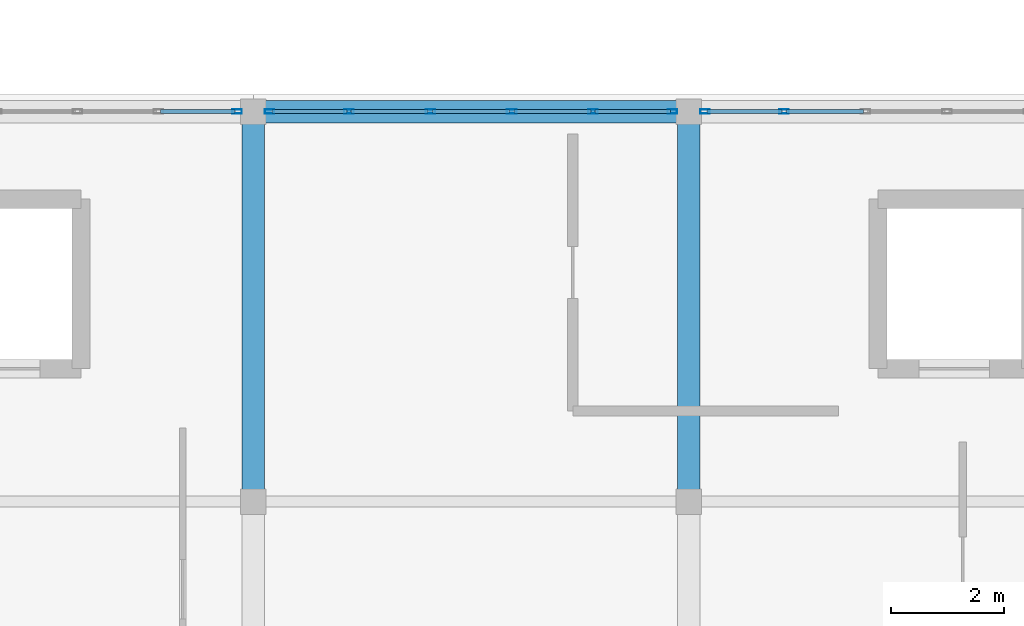
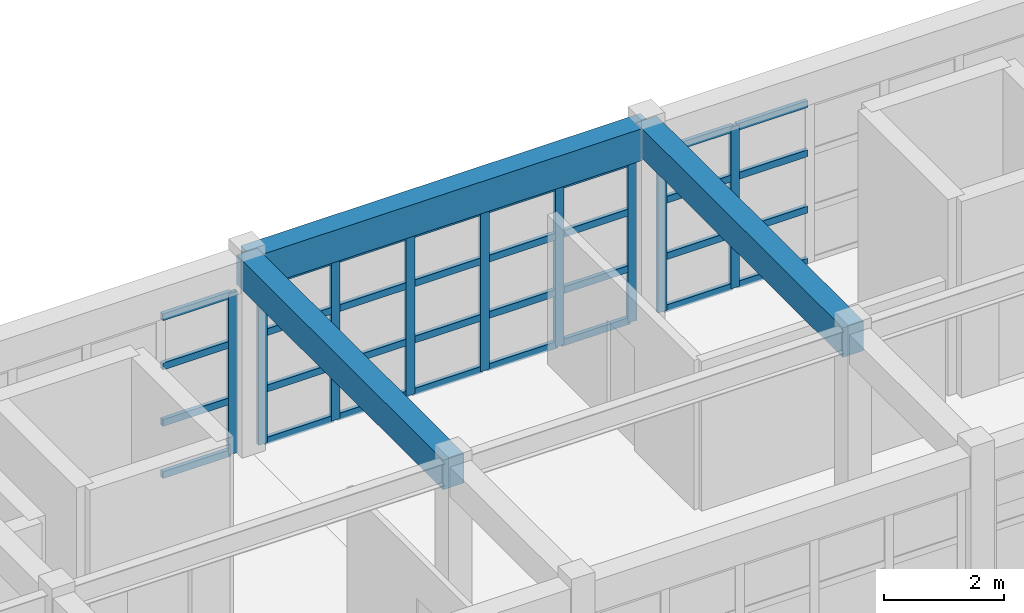
# One storey, part 14 of 52: 41 members, 3 beams, 3 elements without a shape of their own.
"""IFC4 building model written with IfcOpenShell, lengths in metres."""

from ifc_helpers import new_model, si_unit, direction, frame, origin, origin_2d, place, context, subcontext, project, spatial, rectangle, hollow_rectangle, extrude, material, layer, layer_set, material_profile, profile_set, type_object, element, aggregate, save


model = new_model("IFC4")

# Units and contexts
model_context = context("Model", 3, precision=1e-05, world=origin(), true_north=direction((0.0, 1.0)))
body_context = subcontext(model_context, "Body", "Model", "MODEL_VIEW")
ifc_project = project(units=[si_unit("LENGTHUNIT", "METRE"), si_unit("AREAUNIT", "SQUARE_METRE"), si_unit("VOLUMEUNIT", "CUBIC_METRE"), si_unit("PLANEANGLEUNIT", "RADIAN"), si_unit("MASSUNIT", "GRAM", prefix="KILO")], contexts=[model_context])

# Site, building, storey
site_placement = place(None, origin())
site = spatial("IfcSite", under=ifc_project, at=site_placement, CompositionType="ELEMENT")
building_placement = place(site_placement, origin())
building = spatial("IfcBuilding", under=site, at=building_placement, Name="Candilejo Ridge Gondola Terminal", CompositionType="ELEMENT")
storey_placement = place(building_placement, frame((0.0, 0.0, 18.60009765625)))
storey = spatial("IfcBuildingStorey", under=building, at=storey_placement, Name="L04", CompositionType="ELEMENT", Elevation=18.60009765625)

# Curtain wall, member
ifc_material_1 = material(Name="Anodised aluminium AA 6063-T6", Category="aluminium")
ifc_layer_1 = layer(ifc_material_1, 0.169921875)
ifc_layer_set_1 = layer_set([ifc_layer_1], Name="ARC-CW-GALLERY-3200-715X329")
curtain_wall_type_1 = type_object("IfcCurtainWallType", Name="ARC-CW-GALLERY-3200-715X329", PredefinedType="NOTDEFINED", material=ifc_layer_set_1)
curtain_wall_1_placement = place(storey_placement, origin())
curtain_wall_1 = element("IfcCurtainWall", 1, at=curtain_wall_1_placement, inside=storey, type_object=curtain_wall_type_1, Name="Curtain wall V3 L04-102", PredefinedType="NOTDEFINED")
ifc_material_2 = material(Name="Anodised aluminium AA 6063-T6", Category="aluminium")
ifc_material_profile_1 = material_profile(ifc_material_2, hollow_rectangle(XDim=0.074951171875, YDim=0.169921875, WallThickness=0.00390625, at=origin_2d()))
ifc_profile_set_1 = profile_set([ifc_material_profile_1], Name="Anodised aluminium AA 6063-T6")
member_type_1 = type_object("IfcMemberType", Name="ARC-CW-MULLION", PredefinedType="MULLION", material=ifc_profile_set_1)
member_1_placement = place(storey_placement, frame((109.5625, 36.699951171875, 0.0), z_axis=(0.0, 0.0, 1.0), x_axis=(0.0, 1.0, 0.0)))
member_1 = element("IfcMember", 2, at=member_1_placement, type_object=member_type_1, Name="CW-71X32 mullion 6", PredefinedType="MULLION", context=body_context, shape_type="SweptSolid", body=[
    extrude(hollow_rectangle(XDim=0.074951171875, YDim=0.169921875, WallThickness=0.00390625, at=origin_2d()), origin(), (0.0, 0.0, 1.0), 3.289794921875),
])

# Curtain wall, members
ifc_material_3 = material(Name="Anodised aluminium AA 6063-T6", Category="aluminium")
ifc_layer_2 = layer(ifc_material_3, 0.169921875)
ifc_layer_set_2 = layer_set([ifc_layer_2], Name="ARC-CW-GALLERY-3200-720X329")
curtain_wall_type_2 = type_object("IfcCurtainWallType", Name="ARC-CW-GALLERY-3200-720X329", PredefinedType="NOTDEFINED", material=ifc_layer_set_2)
curtain_wall_2_placement = place(storey_placement, origin())
curtain_wall_2 = element("IfcCurtainWall", 3, at=curtain_wall_2_placement, inside=storey, type_object=curtain_wall_type_2, Name="Curtain wall V3 L04-104", PredefinedType="NOTDEFINED")
member_2_placement = place(storey_placement, frame((110.137451171875, 36.699951171875, 0.0), z_axis=(0.0, 0.0, 1.0), x_axis=(0.0, 1.0, 0.0)))
member_2 = element("IfcMember", 4, at=member_2_placement, type_object=member_type_1, Name="CW-72X32 mullion 1", PredefinedType="MULLION", context=body_context, shape_type="SweptSolid", body=[
    extrude(hollow_rectangle(XDim=0.074951171875, YDim=0.169921875, WallThickness=0.00390625, at=origin_2d()), origin(), (0.0, 0.0, 1.0), 3.289794921875),
])
member_3_placement = place(storey_placement, frame((111.5400390625, 36.699951171875, 0.0), z_axis=(0.0, 0.0, 1.0), x_axis=(0.0, 1.0, 0.0)))
member_3 = element("IfcMember", 5, at=member_3_placement, type_object=member_type_1, Name="CW-72X32 mullion 2", PredefinedType="MULLION", context=body_context, shape_type="SweptSolid", body=[
    extrude(hollow_rectangle(XDim=0.074951171875, YDim=0.169921875, WallThickness=0.00390625, at=origin_2d()), origin(), (0.0, 0.0, 1.0), 3.289794921875),
])
member_4_placement = place(storey_placement, frame((112.97998046875, 36.699951171875, 0.0), z_axis=(0.0, 0.0, 1.0), x_axis=(0.0, 1.0, 0.0)))
member_4 = element("IfcMember", 6, at=member_4_placement, type_object=member_type_1, Name="CW-72X32 mullion 3", PredefinedType="MULLION", context=body_context, shape_type="SweptSolid", body=[
    extrude(hollow_rectangle(XDim=0.074951171875, YDim=0.169921875, WallThickness=0.00390625, at=origin_2d()), origin(), (0.0, 0.0, 1.0), 3.289794921875),
])
member_5_placement = place(storey_placement, frame((114.419921875, 36.699951171875, 0.0), z_axis=(0.0, 0.0, 1.0), x_axis=(0.0, 1.0, 0.0)))
member_5 = element("IfcMember", 7, at=member_5_placement, type_object=member_type_1, Name="CW-72X32 mullion 4", PredefinedType="MULLION", context=body_context, shape_type="SweptSolid", body=[
    extrude(hollow_rectangle(XDim=0.074951171875, YDim=0.169921875, WallThickness=0.00390625, at=origin_2d()), origin(), (0.0, 0.0, 1.0), 3.289794921875),
])
member_6_placement = place(storey_placement, frame((115.860107421875, 36.699951171875, 0.0), z_axis=(0.0, 0.0, 1.0), x_axis=(0.0, 1.0, 0.0)))
member_6 = element("IfcMember", 8, at=member_6_placement, type_object=member_type_1, Name="CW-72X32 mullion 5", PredefinedType="MULLION", context=body_context, shape_type="SweptSolid", body=[
    extrude(hollow_rectangle(XDim=0.074951171875, YDim=0.169921875, WallThickness=0.00390625, at=origin_2d()), origin(), (0.0, 0.0, 1.0), 3.289794921875),
])
member_7_placement = place(storey_placement, frame((117.262451171875, 36.699951171875, 0.0), z_axis=(0.0, 0.0, 1.0), x_axis=(0.0, 1.0, 0.0)))
member_7 = element("IfcMember", 9, at=member_7_placement, type_object=member_type_1, Name="CW-72X32 mullion 6", PredefinedType="MULLION", context=body_context, shape_type="SweptSolid", body=[
    extrude(hollow_rectangle(XDim=0.074951171875, YDim=0.169921875, WallThickness=0.00390625, at=origin_2d()), origin(), (0.0, 0.0, 1.0), 3.289794921875),
])

curtain_wall_3_placement = place(storey_placement, origin())
curtain_wall_3 = element("IfcCurtainWall", 10, at=curtain_wall_3_placement, inside=storey, type_object=curtain_wall_type_2, Name="Curtain wall V3 L04-106", PredefinedType="NOTDEFINED")
member_8_placement = place(storey_placement, frame((117.83740234375, 36.699951171875, 0.0), z_axis=(0.0, 0.0, 1.0), x_axis=(0.0, 1.0, 0.0)))
member_8 = element("IfcMember", 11, at=member_8_placement, type_object=member_type_1, Name="CW-72X32 mullion 1", PredefinedType="MULLION", context=body_context, shape_type="SweptSolid", body=[
    extrude(hollow_rectangle(XDim=0.074951171875, YDim=0.169921875, WallThickness=0.00390625, at=origin_2d()), origin(), (0.0, 0.0, 1.0), 3.289794921875),
])
member_9_placement = place(storey_placement, frame((119.239990234375, 36.699951171875, 0.0), z_axis=(0.0, 0.0, 1.0), x_axis=(0.0, 1.0, 0.0)))
member_9 = element("IfcMember", 12, at=member_9_placement, type_object=member_type_1, Name="CW-72X32 mullion 2", PredefinedType="MULLION", context=body_context, shape_type="SweptSolid", body=[
    extrude(hollow_rectangle(XDim=0.074951171875, YDim=0.169921875, WallThickness=0.00390625, at=origin_2d()), origin(), (0.0, 0.0, 1.0), 3.289794921875),
])

# Member
ifc_material_4 = material(Name="Anodised aluminium AA 6063-T6", Category="aluminium")
ifc_material_profile_2 = material_profile(ifc_material_4, hollow_rectangle(XDim=0.074951171875, YDim=0.139892578125, WallThickness=0.00390625, at=origin_2d()))
ifc_profile_set_2 = profile_set([ifc_material_profile_2], Name="Anodised aluminium AA 6063-T6")
member_type_2 = type_object("IfcMemberType", Name="ARC-CW-TRANSOM", PredefinedType="USERDEFINED", material=ifc_profile_set_2)
member_10_placement = place(storey_placement, frame((108.20751953125, 36.699951171875, 0.037353515625), z_axis=(1.0, 0.0, 0.0), x_axis=(0.0, 1.0, 0.0)))
member_10 = element("IfcMember", 13, at=member_10_placement, type_object=member_type_2, Name="CW-71X32 transom 5.1", ObjectType="TRANSOM", PredefinedType="USERDEFINED", context=body_context, shape_type="SweptSolid", body=[
    extrude(hollow_rectangle(XDim=0.074951171875, YDim=0.139892578125, WallThickness=0.00390625, at=origin_2d()), origin(), (0.0, 0.0, 1.0), 1.3173828125),
])

member_11_placement = place(storey_placement, frame((108.20751953125, 36.699951171875, 1.099853515625), z_axis=(1.0, 0.0, 0.0), x_axis=(0.0, 1.0, 0.0)))
member_11 = element("IfcMember", 14, at=member_11_placement, type_object=member_type_2, Name="CW-71X32 transom 5.2", ObjectType="TRANSOM", PredefinedType="USERDEFINED", context=body_context, shape_type="SweptSolid", body=[
    extrude(hollow_rectangle(XDim=0.074951171875, YDim=0.139892578125, WallThickness=0.00390625, at=origin_2d()), origin(), (0.0, 0.0, 1.0), 1.3173828125),
])

member_12_placement = place(storey_placement, frame((108.20751953125, 36.699951171875, 2.25), z_axis=(1.0, 0.0, 0.0), x_axis=(0.0, 1.0, 0.0)))
member_12 = element("IfcMember", 15, at=member_12_placement, type_object=member_type_2, Name="CW-71X32 transom 5.3", ObjectType="TRANSOM", PredefinedType="USERDEFINED", context=body_context, shape_type="SweptSolid", body=[
    extrude(hollow_rectangle(XDim=0.074951171875, YDim=0.139892578125, WallThickness=0.00390625, at=origin_2d()), origin(), (0.0, 0.0, 1.0), 1.3173828125),
])

member_13_placement = place(storey_placement, frame((108.20751953125, 36.699951171875, 3.25244140625), z_axis=(1.0, 0.0, 0.0), x_axis=(0.0, 1.0, 0.0)))
member_13 = element("IfcMember", 16, at=member_13_placement, type_object=member_type_2, Name="CW-71X32 transom 5.4", ObjectType="TRANSOM", PredefinedType="USERDEFINED", context=body_context, shape_type="SweptSolid", body=[
    extrude(hollow_rectangle(XDim=0.074951171875, YDim=0.139892578125, WallThickness=0.00390625, at=origin_2d()), origin(), (0.0, 0.0, 1.0), 1.3173828125),
])

aggregate(curtain_wall_1, [member_1, member_10, member_11, member_12, member_13])

member_14_placement = place(storey_placement, frame((110.175048828125, 36.699951171875, 0.037353515625), z_axis=(1.0, 0.0, 0.0), x_axis=(0.0, 1.0, 0.0)))
member_14 = element("IfcMember", 17, at=member_14_placement, type_object=member_type_2, Name="CW-72X32 transom 1.1", ObjectType="TRANSOM", PredefinedType="USERDEFINED", context=body_context, shape_type="SweptSolid", body=[
    extrude(hollow_rectangle(XDim=0.074951171875, YDim=0.139892578125, WallThickness=0.00390625, at=origin_2d()), origin(), (0.0, 0.0, 1.0), 1.327392578125),
])

member_15_placement = place(storey_placement, frame((110.175048828125, 36.699951171875, 1.099853515625), z_axis=(1.0, 0.0, 0.0), x_axis=(0.0, 1.0, 0.0)))
member_15 = element("IfcMember", 18, at=member_15_placement, type_object=member_type_2, Name="CW-72X32 transom 1.2", ObjectType="TRANSOM", PredefinedType="USERDEFINED", context=body_context, shape_type="SweptSolid", body=[
    extrude(hollow_rectangle(XDim=0.074951171875, YDim=0.139892578125, WallThickness=0.00390625, at=origin_2d()), origin(), (0.0, 0.0, 1.0), 1.327392578125),
])

member_16_placement = place(storey_placement, frame((110.175048828125, 36.699951171875, 2.25), z_axis=(1.0, 0.0, 0.0), x_axis=(0.0, 1.0, 0.0)))
member_16 = element("IfcMember", 19, at=member_16_placement, type_object=member_type_2, Name="CW-72X32 transom 1.3", ObjectType="TRANSOM", PredefinedType="USERDEFINED", context=body_context, shape_type="SweptSolid", body=[
    extrude(hollow_rectangle(XDim=0.074951171875, YDim=0.139892578125, WallThickness=0.00390625, at=origin_2d()), origin(), (0.0, 0.0, 1.0), 1.327392578125),
])

member_17_placement = place(storey_placement, frame((110.175048828125, 36.699951171875, 3.25244140625), z_axis=(1.0, 0.0, 0.0), x_axis=(0.0, 1.0, 0.0)))
member_17 = element("IfcMember", 20, at=member_17_placement, type_object=member_type_2, Name="CW-72X32 transom 1.4", ObjectType="TRANSOM", PredefinedType="USERDEFINED", context=body_context, shape_type="SweptSolid", body=[
    extrude(hollow_rectangle(XDim=0.074951171875, YDim=0.139892578125, WallThickness=0.00390625, at=origin_2d()), origin(), (0.0, 0.0, 1.0), 1.327392578125),
])

member_18_placement = place(storey_placement, frame((111.577392578125, 36.699951171875, 0.037353515625), z_axis=(1.0, 0.0, 0.0), x_axis=(0.0, 1.0, 0.0)))
member_18 = element("IfcMember", 21, at=member_18_placement, type_object=member_type_2, Name="CW-72X32 transom 2.1", ObjectType="TRANSOM", PredefinedType="USERDEFINED", context=body_context, shape_type="SweptSolid", body=[
    extrude(hollow_rectangle(XDim=0.074951171875, YDim=0.139892578125, WallThickness=0.00390625, at=origin_2d()), origin(), (0.0, 0.0, 1.0), 1.364990234375),
])

member_19_placement = place(storey_placement, frame((111.577392578125, 36.699951171875, 1.099853515625), z_axis=(1.0, 0.0, 0.0), x_axis=(0.0, 1.0, 0.0)))
member_19 = element("IfcMember", 22, at=member_19_placement, type_object=member_type_2, Name="CW-72X32 transom 2.2", ObjectType="TRANSOM", PredefinedType="USERDEFINED", context=body_context, shape_type="SweptSolid", body=[
    extrude(hollow_rectangle(XDim=0.074951171875, YDim=0.139892578125, WallThickness=0.00390625, at=origin_2d()), origin(), (0.0, 0.0, 1.0), 1.364990234375),
])

member_20_placement = place(storey_placement, frame((111.577392578125, 36.699951171875, 2.25), z_axis=(1.0, 0.0, 0.0), x_axis=(0.0, 1.0, 0.0)))
member_20 = element("IfcMember", 23, at=member_20_placement, type_object=member_type_2, Name="CW-72X32 transom 2.3", ObjectType="TRANSOM", PredefinedType="USERDEFINED", context=body_context, shape_type="SweptSolid", body=[
    extrude(hollow_rectangle(XDim=0.074951171875, YDim=0.139892578125, WallThickness=0.00390625, at=origin_2d()), origin(), (0.0, 0.0, 1.0), 1.364990234375),
])

member_21_placement = place(storey_placement, frame((111.577392578125, 36.699951171875, 3.25244140625), z_axis=(1.0, 0.0, 0.0), x_axis=(0.0, 1.0, 0.0)))
member_21 = element("IfcMember", 24, at=member_21_placement, type_object=member_type_2, Name="CW-72X32 transom 2.4", ObjectType="TRANSOM", PredefinedType="USERDEFINED", context=body_context, shape_type="SweptSolid", body=[
    extrude(hollow_rectangle(XDim=0.074951171875, YDim=0.139892578125, WallThickness=0.00390625, at=origin_2d()), origin(), (0.0, 0.0, 1.0), 1.364990234375),
])

member_22_placement = place(storey_placement, frame((113.017578125, 36.699951171875, 0.037353515625), z_axis=(1.0, 0.0, 0.0), x_axis=(0.0, 1.0, 0.0)))
member_22 = element("IfcMember", 25, at=member_22_placement, type_object=member_type_2, Name="CW-72X32 transom 3.1", ObjectType="TRANSOM", PredefinedType="USERDEFINED", context=body_context, shape_type="SweptSolid", body=[
    extrude(hollow_rectangle(XDim=0.074951171875, YDim=0.139892578125, WallThickness=0.00390625, at=origin_2d()), origin(), (0.0, 0.0, 1.0), 1.364990234375),
])

member_23_placement = place(storey_placement, frame((113.017578125, 36.699951171875, 1.099853515625), z_axis=(1.0, 0.0, 0.0), x_axis=(0.0, 1.0, 0.0)))
member_23 = element("IfcMember", 26, at=member_23_placement, type_object=member_type_2, Name="CW-72X32 transom 3.2", ObjectType="TRANSOM", PredefinedType="USERDEFINED", context=body_context, shape_type="SweptSolid", body=[
    extrude(hollow_rectangle(XDim=0.074951171875, YDim=0.139892578125, WallThickness=0.00390625, at=origin_2d()), origin(), (0.0, 0.0, 1.0), 1.364990234375),
])

member_24_placement = place(storey_placement, frame((113.017578125, 36.699951171875, 2.25), z_axis=(1.0, 0.0, 0.0), x_axis=(0.0, 1.0, 0.0)))
member_24 = element("IfcMember", 27, at=member_24_placement, type_object=member_type_2, Name="CW-72X32 transom 3.3", ObjectType="TRANSOM", PredefinedType="USERDEFINED", context=body_context, shape_type="SweptSolid", body=[
    extrude(hollow_rectangle(XDim=0.074951171875, YDim=0.139892578125, WallThickness=0.00390625, at=origin_2d()), origin(), (0.0, 0.0, 1.0), 1.364990234375),
])

member_25_placement = place(storey_placement, frame((113.017578125, 36.699951171875, 3.25244140625), z_axis=(1.0, 0.0, 0.0), x_axis=(0.0, 1.0, 0.0)))
member_25 = element("IfcMember", 28, at=member_25_placement, type_object=member_type_2, Name="CW-72X32 transom 3.4", ObjectType="TRANSOM", PredefinedType="USERDEFINED", context=body_context, shape_type="SweptSolid", body=[
    extrude(hollow_rectangle(XDim=0.074951171875, YDim=0.139892578125, WallThickness=0.00390625, at=origin_2d()), origin(), (0.0, 0.0, 1.0), 1.364990234375),
])

member_26_placement = place(storey_placement, frame((114.45751953125, 36.699951171875, 0.037353515625), z_axis=(1.0, 0.0, 0.0), x_axis=(0.0, 1.0, 0.0)))
member_26 = element("IfcMember", 29, at=member_26_placement, type_object=member_type_2, Name="CW-72X32 transom 4.1", ObjectType="TRANSOM", PredefinedType="USERDEFINED", context=body_context, shape_type="SweptSolid", body=[
    extrude(hollow_rectangle(XDim=0.074951171875, YDim=0.139892578125, WallThickness=0.00390625, at=origin_2d()), origin(), (0.0, 0.0, 1.0), 1.364990234375),
])

member_27_placement = place(storey_placement, frame((114.45751953125, 36.699951171875, 1.099853515625), z_axis=(1.0, 0.0, 0.0), x_axis=(0.0, 1.0, 0.0)))
member_27 = element("IfcMember", 30, at=member_27_placement, type_object=member_type_2, Name="CW-72X32 transom 4.2", ObjectType="TRANSOM", PredefinedType="USERDEFINED", context=body_context, shape_type="SweptSolid", body=[
    extrude(hollow_rectangle(XDim=0.074951171875, YDim=0.139892578125, WallThickness=0.00390625, at=origin_2d()), origin(), (0.0, 0.0, 1.0), 1.364990234375),
])

member_28_placement = place(storey_placement, frame((114.45751953125, 36.699951171875, 2.25), z_axis=(1.0, 0.0, 0.0), x_axis=(0.0, 1.0, 0.0)))
member_28 = element("IfcMember", 31, at=member_28_placement, type_object=member_type_2, Name="CW-72X32 transom 4.3", ObjectType="TRANSOM", PredefinedType="USERDEFINED", context=body_context, shape_type="SweptSolid", body=[
    extrude(hollow_rectangle(XDim=0.074951171875, YDim=0.139892578125, WallThickness=0.00390625, at=origin_2d()), origin(), (0.0, 0.0, 1.0), 1.364990234375),
])

member_29_placement = place(storey_placement, frame((114.45751953125, 36.699951171875, 3.25244140625), z_axis=(1.0, 0.0, 0.0), x_axis=(0.0, 1.0, 0.0)))
member_29 = element("IfcMember", 32, at=member_29_placement, type_object=member_type_2, Name="CW-72X32 transom 4.4", ObjectType="TRANSOM", PredefinedType="USERDEFINED", context=body_context, shape_type="SweptSolid", body=[
    extrude(hollow_rectangle(XDim=0.074951171875, YDim=0.139892578125, WallThickness=0.00390625, at=origin_2d()), origin(), (0.0, 0.0, 1.0), 1.364990234375),
])

member_30_placement = place(storey_placement, frame((115.8974609375, 36.699951171875, 0.037353515625), z_axis=(1.0, 0.0, 0.0), x_axis=(0.0, 1.0, 0.0)))
member_30 = element("IfcMember", 33, at=member_30_placement, type_object=member_type_2, Name="CW-72X32 transom 5.1", ObjectType="TRANSOM", PredefinedType="USERDEFINED", context=body_context, shape_type="SweptSolid", body=[
    extrude(hollow_rectangle(XDim=0.074951171875, YDim=0.139892578125, WallThickness=0.00390625, at=origin_2d()), origin(), (0.0, 0.0, 1.0), 1.32763671875),
])

member_31_placement = place(storey_placement, frame((115.8974609375, 36.699951171875, 1.099853515625), z_axis=(1.0, 0.0, 0.0), x_axis=(0.0, 1.0, 0.0)))
member_31 = element("IfcMember", 34, at=member_31_placement, type_object=member_type_2, Name="CW-72X32 transom 5.2", ObjectType="TRANSOM", PredefinedType="USERDEFINED", context=body_context, shape_type="SweptSolid", body=[
    extrude(hollow_rectangle(XDim=0.074951171875, YDim=0.139892578125, WallThickness=0.00390625, at=origin_2d()), origin(), (0.0, 0.0, 1.0), 1.32763671875),
])

member_32_placement = place(storey_placement, frame((115.8974609375, 36.699951171875, 2.25), z_axis=(1.0, 0.0, 0.0), x_axis=(0.0, 1.0, 0.0)))
member_32 = element("IfcMember", 35, at=member_32_placement, type_object=member_type_2, Name="CW-72X32 transom 5.3", ObjectType="TRANSOM", PredefinedType="USERDEFINED", context=body_context, shape_type="SweptSolid", body=[
    extrude(hollow_rectangle(XDim=0.074951171875, YDim=0.139892578125, WallThickness=0.00390625, at=origin_2d()), origin(), (0.0, 0.0, 1.0), 1.32763671875),
])

member_33_placement = place(storey_placement, frame((115.8974609375, 36.699951171875, 3.25244140625), z_axis=(1.0, 0.0, 0.0), x_axis=(0.0, 1.0, 0.0)))
member_33 = element("IfcMember", 36, at=member_33_placement, type_object=member_type_2, Name="CW-72X32 transom 5.4", ObjectType="TRANSOM", PredefinedType="USERDEFINED", context=body_context, shape_type="SweptSolid", body=[
    extrude(hollow_rectangle(XDim=0.074951171875, YDim=0.139892578125, WallThickness=0.00390625, at=origin_2d()), origin(), (0.0, 0.0, 1.0), 1.32763671875),
])

aggregate(curtain_wall_2, [member_2, member_3, member_4, member_5, member_6, member_7, member_14, member_15, member_16, member_17, member_18, member_19, member_20, member_21, member_22, member_23, member_24, member_25, member_26, member_27, member_28, member_29, member_30, member_31, member_32, member_33])

member_34_placement = place(storey_placement, frame((117.875, 36.699951171875, 0.037353515625), z_axis=(1.0, 0.0, 0.0), x_axis=(0.0, 1.0, 0.0)))
member_34 = element("IfcMember", 37, at=member_34_placement, type_object=member_type_2, Name="CW-72X32 transom 1.1", ObjectType="TRANSOM", PredefinedType="USERDEFINED", context=body_context, shape_type="SweptSolid", body=[
    extrude(hollow_rectangle(XDim=0.074951171875, YDim=0.139892578125, WallThickness=0.00390625, at=origin_2d()), origin(), (0.0, 0.0, 1.0), 1.327392578125),
])

member_35_placement = place(storey_placement, frame((117.875, 36.699951171875, 1.099853515625), z_axis=(1.0, 0.0, 0.0), x_axis=(0.0, 1.0, 0.0)))
member_35 = element("IfcMember", 38, at=member_35_placement, type_object=member_type_2, Name="CW-72X32 transom 1.2", ObjectType="TRANSOM", PredefinedType="USERDEFINED", context=body_context, shape_type="SweptSolid", body=[
    extrude(hollow_rectangle(XDim=0.074951171875, YDim=0.139892578125, WallThickness=0.00390625, at=origin_2d()), origin(), (0.0, 0.0, 1.0), 1.327392578125),
])

member_36_placement = place(storey_placement, frame((117.875, 36.699951171875, 2.25), z_axis=(1.0, 0.0, 0.0), x_axis=(0.0, 1.0, 0.0)))
member_36 = element("IfcMember", 39, at=member_36_placement, type_object=member_type_2, Name="CW-72X32 transom 1.3", ObjectType="TRANSOM", PredefinedType="USERDEFINED", context=body_context, shape_type="SweptSolid", body=[
    extrude(hollow_rectangle(XDim=0.074951171875, YDim=0.139892578125, WallThickness=0.00390625, at=origin_2d()), origin(), (0.0, 0.0, 1.0), 1.327392578125),
])

member_37_placement = place(storey_placement, frame((117.875, 36.699951171875, 3.25244140625), z_axis=(1.0, 0.0, 0.0), x_axis=(0.0, 1.0, 0.0)))
member_37 = element("IfcMember", 40, at=member_37_placement, type_object=member_type_2, Name="CW-72X32 transom 1.4", ObjectType="TRANSOM", PredefinedType="USERDEFINED", context=body_context, shape_type="SweptSolid", body=[
    extrude(hollow_rectangle(XDim=0.074951171875, YDim=0.139892578125, WallThickness=0.00390625, at=origin_2d()), origin(), (0.0, 0.0, 1.0), 1.327392578125),
])

member_38_placement = place(storey_placement, frame((119.277587890625, 36.699951171875, 0.037353515625), z_axis=(1.0, 0.0, 0.0), x_axis=(0.0, 1.0, 0.0)))
member_38 = element("IfcMember", 41, at=member_38_placement, type_object=member_type_2, Name="CW-72X32 transom 2.1", ObjectType="TRANSOM", PredefinedType="USERDEFINED", context=body_context, shape_type="SweptSolid", body=[
    extrude(hollow_rectangle(XDim=0.074951171875, YDim=0.139892578125, WallThickness=0.00390625, at=origin_2d()), origin(), (0.0, 0.0, 1.0), 1.364990234375),
])

member_39_placement = place(storey_placement, frame((119.277587890625, 36.699951171875, 1.099853515625), z_axis=(1.0, 0.0, 0.0), x_axis=(0.0, 1.0, 0.0)))
member_39 = element("IfcMember", 42, at=member_39_placement, type_object=member_type_2, Name="CW-72X32 transom 2.2", ObjectType="TRANSOM", PredefinedType="USERDEFINED", context=body_context, shape_type="SweptSolid", body=[
    extrude(hollow_rectangle(XDim=0.074951171875, YDim=0.139892578125, WallThickness=0.00390625, at=origin_2d()), origin(), (0.0, 0.0, 1.0), 1.364990234375),
])

member_40_placement = place(storey_placement, frame((119.277587890625, 36.699951171875, 2.25), z_axis=(1.0, 0.0, 0.0), x_axis=(0.0, 1.0, 0.0)))
member_40 = element("IfcMember", 43, at=member_40_placement, type_object=member_type_2, Name="CW-72X32 transom 2.3", ObjectType="TRANSOM", PredefinedType="USERDEFINED", context=body_context, shape_type="SweptSolid", body=[
    extrude(hollow_rectangle(XDim=0.074951171875, YDim=0.139892578125, WallThickness=0.00390625, at=origin_2d()), origin(), (0.0, 0.0, 1.0), 1.364990234375),
])

member_41_placement = place(storey_placement, frame((119.277587890625, 36.699951171875, 3.25244140625), z_axis=(1.0, 0.0, 0.0), x_axis=(0.0, 1.0, 0.0)))
member_41 = element("IfcMember", 44, at=member_41_placement, type_object=member_type_2, Name="CW-72X32 transom 2.4", ObjectType="TRANSOM", PredefinedType="USERDEFINED", context=body_context, shape_type="SweptSolid", body=[
    extrude(hollow_rectangle(XDim=0.074951171875, YDim=0.139892578125, WallThickness=0.00390625, at=origin_2d()), origin(), (0.0, 0.0, 1.0), 1.364990234375),
])

aggregate(curtain_wall_3, [member_8, member_9, member_34, member_35, member_36, member_37, member_38, member_39, member_40, member_41])

# Beams
ifc_material_5 = material(Name="Concrete f'c 35 MPa (C35/45)", Category="concrete")
ifc_material_profile_3 = material_profile(ifc_material_5, rectangle(XDim=0.39990234375, YDim=0.60009765625, at=origin_2d()))
ifc_profile_set_3 = profile_set([ifc_material_profile_3], Name="Concrete f'c 35 MPa (C35/45)")
beam_type_1 = type_object("IfcBeamType", Name="STR-BM-RC400X600", PredefinedType="BEAM", material=ifc_profile_set_3)
for number, where, z_axis, x_axis, name in (
    (45, (109.85009765625, 29.800048828125, 3.699951171875), (0.0, 1.0, 0.0), (-1.0, 0.0, 0.0), "Beam Y V3 L04 Y06-Y07@X17"),
    (46, (117.550048828125, 29.800048828125, 3.699951171875), (0.0, 1.0, 0.0), (-1.0, 0.0, 0.0), "Beam Y V3 L04 Y06-Y07@X18"),
):
    element("IfcBeam", number, at=place(storey_placement, frame(where, z_axis=z_axis, x_axis=x_axis)), inside=storey, type_object=beam_type_1, Name=name, PredefinedType="BEAM", context=body_context, shape_type="SweptSolid", body=[
        extrude(rectangle(XDim=0.39990234375, YDim=0.60009765625, at=origin_2d()), origin(), (0.0, 0.0, 1.0), 6.89990234375),
    ])
ifc_material_6 = material(Name="Concrete f'c 35 MPa (C35/45)", Category="concrete")
ifc_material_profile_4 = material_profile(ifc_material_6, rectangle(XDim=0.39990234375, YDim=0.64990234375, at=origin_2d()))
ifc_profile_set_4 = profile_set([ifc_material_profile_4], Name="Concrete f'c 35 MPa (C35/45)")
beam_type_2 = type_object("IfcBeamType", Name="STR-SPN-RC400X650", PredefinedType="SPANDREL", material=ifc_profile_set_4)
beam_placement = place(storey_placement, frame((109.85009765625, 36.699951171875, 3.6748046875), z_axis=(1.0, 0.0, 0.0), x_axis=(0.0, 1.0, 0.0)))
element("IfcBeam", 47, at=beam_placement, inside=storey, type_object=beam_type_2, Name="Beam X V3 L04 X17-X18@Y07", PredefinedType="SPANDREL", context=body_context, shape_type="SweptSolid", body=[
    extrude(rectangle(XDim=0.39990234375, YDim=0.64990234375, at=origin_2d()), origin(), (0.0, 0.0, 1.0), 7.699951171875),
])

save(model, "model.ifc")
